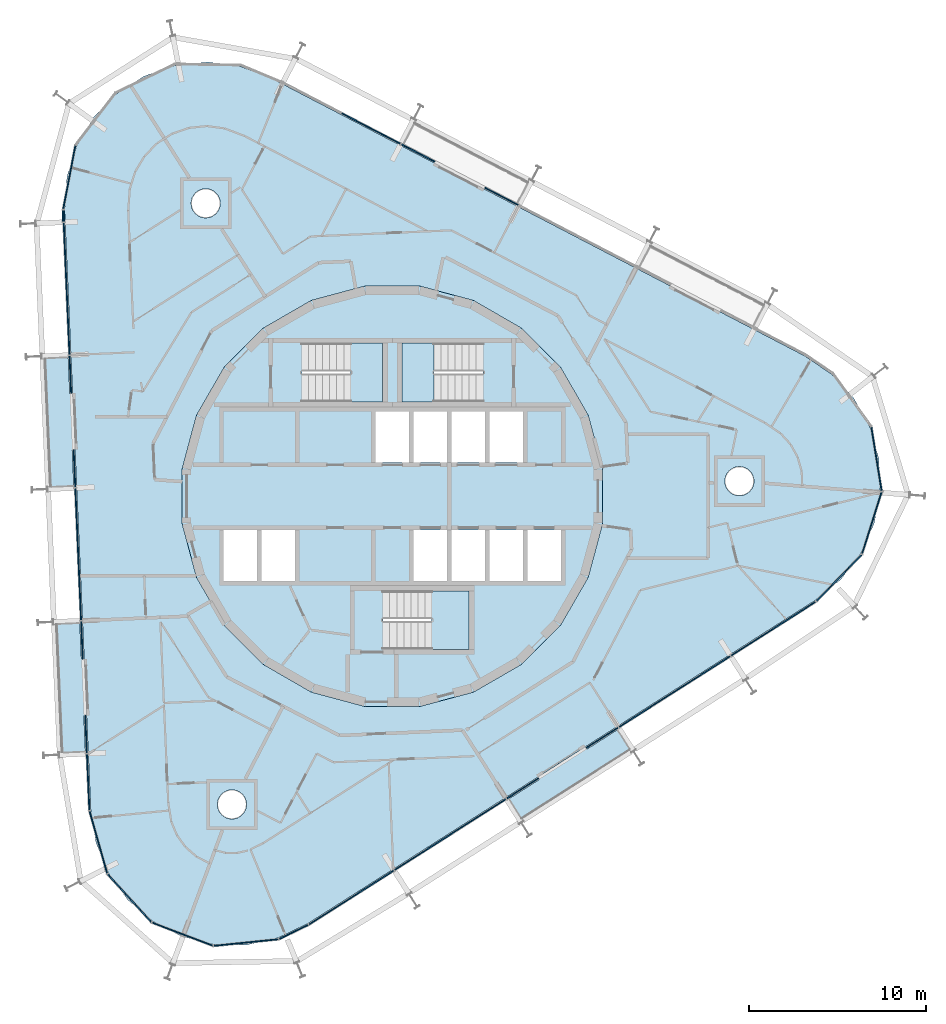
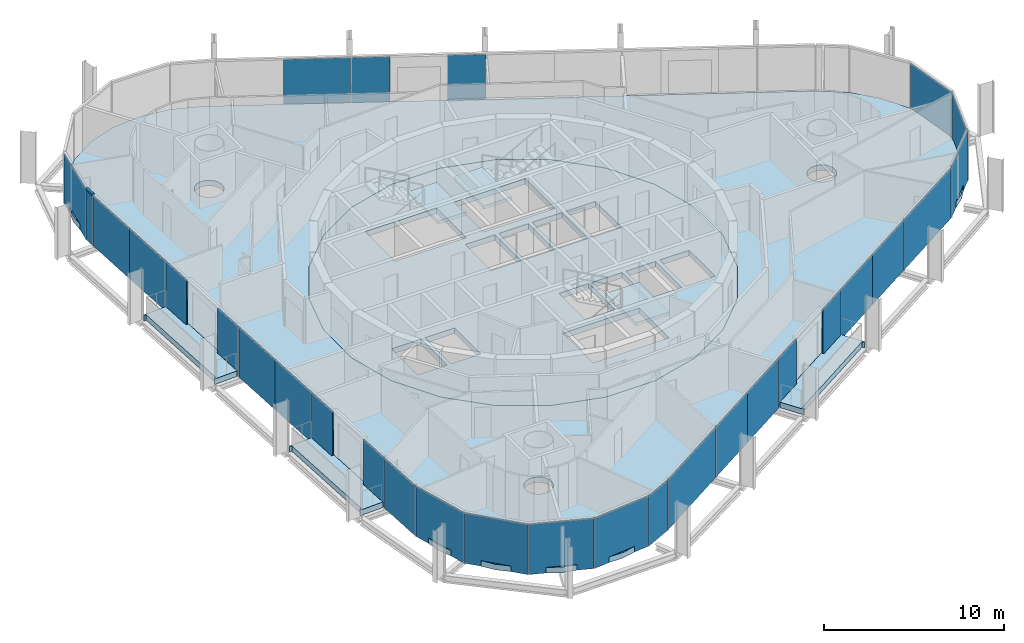
# One storey, part 10 of 18: 30 plates, 8 slabs, 1 member, 9 elements without a shape of their own.
"""IFC4 building model written with IfcOpenShell, lengths in metres."""

from ifc_helpers import new_model, si_unit, direction, frame, origin, origin_2d, place, context, subcontext, project, spatial, polyline, rectangle, outline, extrude, material, layer, layer_set, material_profile, profile_set, type_object, element, aggregate, save


model = new_model("IFC4")

# Units and contexts
model_context = context("Model", 3, precision=1e-05, world=origin(), true_north=direction((0.0, 1.0)))
body_context = subcontext(model_context, "Body", "Model", "MODEL_VIEW")
ifc_project = project(units=[si_unit("LENGTHUNIT", "METRE"), si_unit("AREAUNIT", "SQUARE_METRE"), si_unit("VOLUMEUNIT", "CUBIC_METRE"), si_unit("PLANEANGLEUNIT", "RADIAN"), si_unit("MASSUNIT", "GRAM", prefix="KILO")], contexts=[model_context])

# Site, building, storey
site_placement = place(None, origin())
site = spatial("IfcSite", under=ifc_project, at=site_placement, CompositionType="ELEMENT")
building_placement = place(site_placement, origin())
building = spatial("IfcBuilding", under=site, at=building_placement, Name="Spindle Arch Residences", CompositionType="ELEMENT")
storey_placement = place(building_placement, frame((0.0, 0.0, 230.199951171875)))
storey = spatial("IfcBuildingStorey", under=building, at=storey_placement, Name="L58", CompositionType="ELEMENT", Elevation=230.199951171875)

# Curtain wall, member
ifc_material_1 = material(Name="Aluminium bronze unitised frame with tinted glass", Category="aluminium")
ifc_layer_1 = layer(ifc_material_1, 0.159912109375)
ifc_layer_set_1 = layer_set([ifc_layer_1], Name="CW-D corner wall on the fillet arcs")
curtain_wall_type_1 = type_object("IfcCurtainWallType", Name="CW-D corner wall on the fillet arcs", PredefinedType="NOTDEFINED", material=ifc_layer_set_1)
curtain_wall_1_placement = place(storey_placement, origin())
curtain_wall_1 = element("IfcCurtainWall", 1, at=curtain_wall_1_placement, inside=storey, type_object=curtain_wall_type_1, Name="CW-D L58 run 3", PredefinedType="NOTDEFINED")
ifc_material_2 = material(Name="Aluminium bronze anodised transom", Category="aluminium")
ifc_material_profile = material_profile(ifc_material_2, rectangle(XDim=0.159912109375, YDim=0.1201171875, at=origin_2d()), Name="TR 120x160")
ifc_profile_set = profile_set([ifc_material_profile], Name="Aluminium bronze anodised transom")
member_type = type_object("IfcMemberType", Name="Bronze transom 120x160", PredefinedType="USERDEFINED", material=ifc_profile_set)
member_placement = place(storey_placement, frame((-18.638916015625, 16.2060546875, 3.06005859375), z_axis=(0.043372874815, -0.999058954081, 0.0), x_axis=(0.999058954081, 0.043372874815, 0.0)))
member = element("IfcMember", 2, at=member_placement, type_object=member_type, Name="CW-D transom 05", ObjectType="TRANSOM", PredefinedType="USERDEFINED", context=body_context, shape_type="SweptSolid", body=[
    extrude(rectangle(XDim=0.159912109375, YDim=0.1201171875, at=origin_2d()), origin(), (0.0, 0.0, 1.0), 0.65869140625),
])

# Slabs
ifc_material_3 = material(Name="Concrete C40/50", Category="concrete")
ifc_layer_2 = layer(ifc_material_3, 0.3798828125)
ifc_layer_set_2 = layer_set([ifc_layer_2], Name="Balcony slab 380")
slab_type_1 = type_object("IfcSlabType", Name="Balcony slab 380", PredefinedType="FLOOR", material=ifc_layer_set_2)
slab_1_placement = place(storey_placement, frame((0.0, 0.0, -0.3798828125)))
element("IfcSlab", 3, at=slab_1_placement, inside=storey, type_object=slab_type_1, Name="Balcony L58 bay 14", PredefinedType="FLOOR", context=body_context, shape_type="SweptSolid", body=[
    extrude(outline(polyline([(-19.845703125, 7.851806640625), (-19.842529296875, 7.777099609375), (-19.692626953125, 7.783447265625), (-19.377197265625, 0.560302734375), (-19.527099609375, 0.5537109375), (-19.52392578125, 0.478759765625), (-18.03515625, 0.5439453125), (-18.12646484375, 2.6318359375), (-17.966552734375, 2.638916015625), (-18.106201171875, 5.8359375), (-18.265869140625, 5.828857421875), (-18.357177734375, 7.9169921875), (-19.845703125, 7.851806640625)])), origin(), (0.0, 0.0, 1.0), 0.3798828125),
])
slab_2_placement = place(storey_placement, frame((0.0, 0.0, -0.3798828125)))
element("IfcSlab", 4, at=slab_2_placement, inside=storey, type_object=slab_type_1, Name="Balcony L58 bay 16", PredefinedType="FLOOR", context=body_context, shape_type="SweptSolid", body=[
    extrude(outline(polyline([(-19.188720703125, -7.19384765625), (-19.185546875, -7.268798828125), (-19.03564453125, -7.26220703125), (-18.72021484375, -14.485595703125), (-18.8701171875, -14.491943359375), (-18.866943359375, -14.56689453125), (-17.37841796875, -14.501953125), (-17.469482421875, -12.413818359375), (-17.3095703125, -12.406982421875), (-17.44921875, -9.2099609375), (-17.609130859375, -9.217041015625), (-17.7001953125, -7.12890625), (-19.188720703125, -7.19384765625)])), origin(), (0.0, 0.0, 1.0), 0.3798828125),
])
slab_3_placement = place(storey_placement, frame((0.0, 0.0, -0.3798828125)))
element("IfcSlab", 5, at=slab_3_placement, inside=storey, type_object=slab_type_1, Name="Balcony L58 bay 22", PredefinedType="FLOOR", context=body_context, shape_type="SweptSolid", body=[
    extrude(outline(polyline([(7.356689453125, -18.41552734375), (7.419921875, -18.375244140625), (7.33935546875, -18.248779296875), (13.437255859375, -14.364013671875), (13.517822265625, -14.490478515625), (13.5810546875, -14.4501953125), (12.780517578125, -13.193603515625), (11.017822265625, -14.316650390625), (10.931884765625, -14.181640625), (8.23291015625, -15.901123046875), (8.31884765625, -16.035888671875), (6.55615234375, -17.158935546875), (7.356689453125, -18.41552734375)])), origin(), (0.0, 0.0, 1.0), 0.3798828125),
])
ifc_material_4 = material(Name="Concrete C50/60", Category="concrete")
ifc_layer_3 = layer(ifc_material_4, 0.3798828125)
ifc_layer_set_3 = layer_set([ifc_layer_3], Name="Core floor slab 380")
slab_type_2 = type_object("IfcSlabType", Name="Core floor slab 380", PredefinedType="FLOOR", material=ifc_layer_set_3)
slab_4_placement = place(storey_placement, frame((0.0, 0.0, -0.3798828125)))
element("IfcSlab", 6, at=slab_4_placement, inside=storey, type_object=slab_type_2, Name="Core floor L58", PredefinedType="FLOOR", context=body_context, shape_type="SweptSolid", body=[
    extrude(outline(polyline([(1.56640625, -11.897216796875), (4.59228515625, -11.086669921875), (7.30517578125, -9.520263671875), (9.520263671875, -7.30517578125), (11.086669921875, -4.59228515625), (11.897216796875, -1.56640625), (11.897216796875, 1.56640625), (11.086669921875, 4.59228515625), (9.520263671875, 7.30517578125), (7.30517578125, 9.520263671875), (4.59228515625, 11.086669921875), (1.56640625, 11.897216796875), (-1.56640625, 11.897216796875), (-4.59228515625, 11.086669921875), (-7.30517578125, 9.520263671875), (-9.520263671875, 7.30517578125), (-11.086669921875, 4.59228515625), (-11.897216796875, 1.56640625), (-11.897216796875, -1.56640625), (-11.086669921875, -4.59228515625), (-9.520263671875, -7.30517578125), (-7.30517578125, -9.520263671875), (-4.59228515625, -11.086669921875), (-1.56640625, -11.897216796875), (1.56640625, -11.897216796875)]), holes=[polyline([(-0.949951171875, 1.89990234375), (0.949951171875, 1.89990234375), (0.949951171875, 4.800048828125), (-0.949951171875, 4.800048828125), (-0.949951171875, 1.89990234375)]), polyline([(1.199951171875, 1.89990234375), (3.10009765625, 1.89990234375), (3.10009765625, 4.800048828125), (1.199951171875, 4.800048828125), (1.199951171875, 1.89990234375)]), polyline([(3.35009765625, 1.89990234375), (5.25, 1.89990234375), (5.25, 4.800048828125), (3.35009765625, 4.800048828125), (3.35009765625, 1.89990234375)]), polyline([(5.5, 1.89990234375), (7.39990234375, 1.89990234375), (7.39990234375, 4.800048828125), (5.5, 4.800048828125), (5.5, 1.89990234375)]), polyline([(-9.550048828125, -4.800048828125), (-7.64990234375, -4.800048828125), (-7.64990234375, -1.89990234375), (-9.550048828125, -1.89990234375), (-9.550048828125, -4.800048828125)]), polyline([(-7.39990234375, -4.800048828125), (-5.5, -4.800048828125), (-5.5, -1.89990234375), (-7.39990234375, -1.89990234375), (-7.39990234375, -4.800048828125)]), polyline([(1.199951171875, -4.800048828125), (3.10009765625, -4.800048828125), (3.10009765625, -1.89990234375), (1.199951171875, -1.89990234375), (1.199951171875, -4.800048828125)]), polyline([(3.35009765625, -4.800048828125), (5.25, -4.800048828125), (5.25, -1.89990234375), (3.35009765625, -1.89990234375), (3.35009765625, -4.800048828125)]), polyline([(5.5, -4.800048828125), (7.39990234375, -4.800048828125), (7.39990234375, -1.89990234375), (5.5, -1.89990234375), (5.5, -4.800048828125)]), polyline([(7.64990234375, -4.800048828125), (9.550048828125, -4.800048828125), (9.550048828125, -1.89990234375), (7.64990234375, -1.89990234375), (7.64990234375, -4.800048828125)]), polyline([(5.1298828125, 8.669921875), (0.550048828125, 8.669921875), (0.550048828125, 5.35009765625), (5.1298828125, 5.35009765625), (5.1298828125, 8.669921875)]), polyline([(-5.1298828125, 5.35009765625), (-0.550048828125, 5.35009765625), (-0.550048828125, 8.669921875), (-5.1298828125, 8.669921875), (-5.1298828125, 5.35009765625)]), polyline([(-0.530029296875, -8.669921875), (4.35009765625, -8.669921875), (4.35009765625, -5.35009765625), (-0.530029296875, -5.35009765625), (-0.530029296875, -8.669921875)])]), origin(), (0.0, 0.0, 1.0), 0.3798828125),
])

# Stair, slab
ifc_material_5 = material(Name="Concrete C50/60", Category="concrete")
stair_type = type_object("IfcStairType", Name="Exit stair 16 risers", PredefinedType="HALF_TURN_STAIR", material=ifc_material_5)
stair_1_placement = place(storey_placement, origin())
stair_1 = element("IfcStair", 7, at=stair_1_placement, inside=storey, type_object=stair_type, Name="L58 Exit stair ST1", PredefinedType="HALF_TURN_STAIR")
ifc_material_6 = material(Name="Concrete C50/60", Category="concrete")
ifc_layer_4 = layer(ifc_material_6, 0.219970703125)
ifc_layer_set_4 = layer_set([ifc_layer_4], Name="Exit stair landing 220")
slab_type_3 = type_object("IfcSlabType", Name="Exit stair landing 220", PredefinedType="LANDING", material=ifc_layer_set_4)
slab_5_placement = place(storey_placement, frame((0.0, 0.0, 1.530029296875)))
slab_5 = element("IfcSlab", 8, at=slab_5_placement, type_object=slab_type_3, Name="ST1 landing 1", PredefinedType="LANDING", context=body_context, shape_type="SweptSolid", body=[
    extrude(outline(polyline([(2.3701171875, 8.669921875), (0.550048828125, 8.669921875), (0.550048828125, 5.35009765625), (2.3701171875, 5.35009765625), (2.3701171875, 8.669921875)])), origin(), (0.0, 0.0, 1.0), 0.219970703125),
])
aggregate(stair_1, [slab_5])

stair_2_placement = place(storey_placement, origin())
stair_2 = element("IfcStair", 9, at=stair_2_placement, inside=storey, type_object=stair_type, Name="L58 Exit stair ST2", PredefinedType="HALF_TURN_STAIR")
slab_6_placement = place(storey_placement, frame((0.0, 0.0, 1.530029296875)))
slab_6 = element("IfcSlab", 10, at=slab_6_placement, type_object=slab_type_3, Name="ST2 landing 1", PredefinedType="LANDING", context=body_context, shape_type="SweptSolid", body=[
    extrude(outline(polyline([(-2.3701171875, 5.35009765625), (-0.550048828125, 5.35009765625), (-0.550048828125, 8.669921875), (-2.3701171875, 8.669921875), (-2.3701171875, 5.35009765625)])), origin(), (0.0, 0.0, 1.0), 0.219970703125),
])
aggregate(stair_2, [slab_6])

stair_3_placement = place(storey_placement, origin())
stair_3 = element("IfcStair", 11, at=stair_3_placement, inside=storey, type_object=stair_type, Name="L58 Exit stair ST3", PredefinedType="HALF_TURN_STAIR")
slab_7_placement = place(storey_placement, frame((0.0, 0.0, 1.530029296875)))
slab_7 = element("IfcSlab", 12, at=slab_7_placement, type_object=slab_type_3, Name="ST3 landing 1", PredefinedType="LANDING", context=body_context, shape_type="SweptSolid", body=[
    extrude(outline(polyline([(2.22998046875, -8.669921875), (4.35009765625, -8.669921875), (4.35009765625, -5.35009765625), (2.22998046875, -5.35009765625), (2.22998046875, -8.669921875)])), origin(), (0.0, 0.0, 1.0), 0.219970703125),
])
aggregate(stair_3, [slab_7])

# Slab
ifc_material_7 = material(Name="Concrete C40/50", Category="concrete")
ifc_layer_5 = layer(ifc_material_7, 0.3798828125)
ifc_layer_set_5 = layer_set([ifc_layer_5], Name="Floor slab 380")
slab_type_4 = type_object("IfcSlabType", Name="Floor slab 380", PredefinedType="FLOOR", material=ifc_layer_set_5)
slab_8_placement = place(storey_placement, frame((0.0, 0.0, -0.3798828125)))
element("IfcSlab", 13, at=slab_8_placement, inside=storey, type_object=slab_type_4, Name="Floor slab L58", PredefinedType="FLOOR", context=body_context, shape_type="SweptSolid", body=[
    extrude(outline(polyline([(-6.45556640625, -25.0029296875), (-8.268798828125, -25.40478515625), (-10.126220703125, -25.3779296875), (-11.92724609375, -24.92333984375), (-13.57470703125, -24.065673828125), (-14.980224609375, -22.85107421875), (-16.067626953125, -21.34521484375), (-16.778564453125, -19.629150390625), (-17.074462890625, -17.79541015625), (-18.560302734375, 16.239501953125), (-18.42529296875, 18.092041015625), (-17.866943359375, 19.863525390625), (-16.914794921875, 21.45849609375), (-15.62060546875, 22.791015625), (-14.053955078125, 23.788818359375), (-12.299560546875, 24.398681640625), (-10.45166015625, 24.587646484375), (-8.610107421875, 24.34521484375), (-6.8740234375, 23.6845703125), (23.343994140625, 7.9541015625), (24.880859375, 6.910888671875), (26.1357421875, 5.54150390625), (27.041015625, 3.91943359375), (27.5478515625, 2.13232421875), (27.62890625, 0.276611328125), (27.27978515625, -1.547607421875), (26.519287109375, -3.242431640625), (25.388427734375, -4.716064453125), (23.948486328125, -5.88916015625), (9.58251953125, -15.041259765625), (-4.78369140625, -24.193603515625), (-6.45556640625, -25.0029296875)]), holes=[polyline([(7.30517578125, -9.520263671875), (9.520263671875, -7.30517578125), (11.086669921875, -4.59228515625), (11.897216796875, -1.56640625), (11.897216796875, 1.56640625), (11.086669921875, 4.59228515625), (9.520263671875, 7.30517578125), (7.30517578125, 9.520263671875), (4.59228515625, 11.086669921875), (1.56640625, 11.897216796875), (-1.56640625, 11.897216796875), (-4.59228515625, 11.086669921875), (-7.30517578125, 9.520263671875), (-9.520263671875, 7.30517578125), (-11.086669921875, 4.59228515625), (-11.897216796875, 1.56640625), (-11.897216796875, -1.56640625), (-11.086669921875, -4.59228515625), (-9.520263671875, -7.30517578125), (-7.30517578125, -9.520263671875), (-4.59228515625, -11.086669921875), (-1.56640625, -11.897216796875), (1.56640625, -11.897216796875), (4.59228515625, -11.086669921875), (7.30517578125, -9.520263671875)]), polyline([(-8.39599609375, -17.904541015625), (-8.31982421875, -17.761962890625), (-8.27294921875, -17.607177734375), (-8.257080078125, -17.4462890625), (-8.27294921875, -17.285400390625), (-8.31982421875, -17.130615234375), (-8.39599609375, -16.988037109375), (-8.49853515625, -16.86279296875), (-8.623779296875, -16.76025390625), (-8.766357421875, -16.68408203125), (-8.921142578125, -16.63720703125), (-9.08203125, -16.621337890625), (-9.242919921875, -16.63720703125), (-9.397705078125, -16.68408203125), (-9.540283203125, -16.76025390625), (-9.665283203125, -16.86279296875), (-9.76806640625, -16.988037109375), (-9.84423828125, -17.130615234375), (-9.89111328125, -17.285400390625), (-9.906982421875, -17.4462890625), (-9.89111328125, -17.607177734375), (-9.84423828125, -17.761962890625), (-9.76806640625, -17.904541015625), (-9.665283203125, -18.02978515625), (-9.540283203125, -18.13232421875), (-9.397705078125, -18.20849609375), (-9.242919921875, -18.25537109375), (-9.08203125, -18.271240234375), (-8.921142578125, -18.25537109375), (-8.766357421875, -18.20849609375), (-8.623779296875, -18.13232421875), (-8.49853515625, -18.02978515625), (-8.39599609375, -17.904541015625)]), polyline([(-9.882080078125, 16.130126953125), (-9.805908203125, 16.272705078125), (-9.7587890625, 16.427490234375), (-9.742919921875, 16.58837890625), (-9.7587890625, 16.749267578125), (-9.805908203125, 16.904052734375), (-9.882080078125, 17.046630859375), (-9.984619140625, 17.171875), (-10.109619140625, 17.2744140625), (-10.252197265625, 17.3505859375), (-10.406982421875, 17.3974609375), (-10.568115234375, 17.413330078125), (-10.72900390625, 17.3974609375), (-10.8837890625, 17.3505859375), (-11.0263671875, 17.2744140625), (-11.1513671875, 17.171875), (-11.25390625, 17.046630859375), (-11.330078125, 16.904052734375), (-11.377197265625, 16.749267578125), (-11.39306640625, 16.58837890625), (-11.377197265625, 16.427490234375), (-11.330078125, 16.272705078125), (-11.25390625, 16.130126953125), (-11.1513671875, 16.0048828125), (-11.0263671875, 15.90234375), (-10.8837890625, 15.826171875), (-10.72900390625, 15.779296875), (-10.568115234375, 15.763427734375), (-10.406982421875, 15.779296875), (-10.252197265625, 15.826171875), (-10.109619140625, 15.90234375), (-9.984619140625, 16.0048828125), (-9.882080078125, 16.130126953125)]), polyline([(20.2333984375, 0.2744140625), (20.3359375, 0.399658203125), (20.412109375, 0.542236328125), (20.458984375, 0.697021484375), (20.47509765625, 0.85791015625), (20.458984375, 1.018798828125), (20.412109375, 1.173583984375), (20.3359375, 1.316162109375), (20.2333984375, 1.44140625), (20.1083984375, 1.5439453125), (19.9658203125, 1.6201171875), (19.810791015625, 1.6669921875), (19.64990234375, 1.682861328125), (19.489013671875, 1.6669921875), (19.334228515625, 1.6201171875), (19.191650390625, 1.5439453125), (19.066650390625, 1.44140625), (18.964111328125, 1.316162109375), (18.8876953125, 1.173583984375), (18.8408203125, 1.018798828125), (18.824951171875, 0.85791015625), (18.8408203125, 0.697021484375), (18.8876953125, 0.542236328125), (18.964111328125, 0.399658203125), (19.066650390625, 0.2744140625), (19.191650390625, 0.171875), (19.334228515625, 0.095703125), (19.489013671875, 0.048828125), (19.64990234375, 0.032958984375), (19.810791015625, 0.048828125), (19.9658203125, 0.095703125), (20.1083984375, 0.171875), (20.2333984375, 0.2744140625)])]), origin(), (0.0, 0.0, 1.0), 0.3798828125),
])

# Curtain wall, plates
curtain_wall_2_placement = place(storey_placement, origin())
curtain_wall_2 = element("IfcCurtainWall", 14, at=curtain_wall_2_placement, inside=storey, type_object=curtain_wall_type_1, Name="CW-D L58 run 1", PredefinedType="NOTDEFINED")
ifc_material_8 = material(Name="Tinted double glazing over non-combustible spandrel zone with 0.55 mm stainless steel cavity fire stop (K0)", Category="steel")
ifc_layer_6 = layer(ifc_material_8, 0.070068359375)
ifc_layer_set_6 = layer_set([ifc_layer_6], Name="Unitised glass panel with spandrel zone and stainless cavity fire stop")
plate_type = type_object("IfcPlateType", Name="Unitised glass panel with spandrel zone and stainless cavity fire stop", PredefinedType="CURTAIN_PANEL", material=ifc_layer_set_6)
plate_1_placement = place(storey_placement, frame((21.571533203125, -7.498291015625, -0.3798828125), z_axis=(0.0, 0.0, 1.0), x_axis=(0.843391445813, 0.537299608347, 0.0)))
plate_1 = element("IfcPlate", 15, at=plate_1_placement, type_object=plate_type, Name="CW-D unit 00", PredefinedType="CURTAIN_PANEL", context=body_context, shape_type="SweptSolid", body=[
    extrude(rectangle(XDim=5.678466796875, YDim=0.070068359375, at=origin_2d()), origin(), (0.0, 0.0, 1.0), 3.3798828125),
])
plate_2_placement = place(storey_placement, frame((25.28955078125, -4.6201171875, -0.3798828125), z_axis=(0.0, 0.0, 1.0), x_axis=(0.696747904692, 0.71731607908, 0.0)))
plate_2 = element("IfcPlate", 16, at=plate_2_placement, type_object=plate_type, Name="CW-D unit 01", PredefinedType="CURTAIN_PANEL", context=body_context, shape_type="SweptSolid", body=[
    extrude(rectangle(XDim=3.666748046875, YDim=0.070068359375, at=origin_2d()), origin(), (0.0, 0.0, 1.0), 3.3798828125),
])
plate_3_placement = place(storey_placement, frame((27.148193359375, -1.50634765625, -0.3798828125), z_axis=(0.0, 0.0, 1.0), x_axis=(0.300705803932, 0.953716949352, 0.0)))
plate_3 = element("IfcPlate", 17, at=plate_3_placement, type_object=plate_type, Name="CW-D unit 02", PredefinedType="CURTAIN_PANEL", context=body_context, shape_type="SweptSolid", body=[
    extrude(rectangle(XDim=3.666748046875, YDim=0.070068359375, at=origin_2d()), origin(), (0.0, 0.0, 1.0), 3.3798828125),
])
plate_4_placement = place(storey_placement, frame((27.411865234375, 2.1103515625, -0.3798828125), z_axis=(0.0, 0.0, 1.0), x_axis=(-0.15930686075, 0.987229114298, 0.0)))
plate_4 = element("IfcPlate", 18, at=plate_4_placement, type_object=plate_type, Name="CW-D unit 03", PredefinedType="CURTAIN_PANEL", context=body_context, shape_type="SweptSolid", body=[
    extrude(rectangle(XDim=3.666748046875, YDim=0.070068359375, at=origin_2d()), origin(), (0.0, 0.0, 1.0), 3.3798828125),
])
aggregate(curtain_wall_2, [plate_1, plate_2, plate_3, plate_4])

ifc_material_9 = material(Name="Aluminium bronze unitised frame with tinted glass", Category="aluminium")
ifc_layer_7 = layer(ifc_material_9, 0.159912109375)
ifc_layer_set_7 = layer_set([ifc_layer_7], Name="CW-C typical residential unitised wall")
curtain_wall_type_2 = type_object("IfcCurtainWallType", Name="CW-C typical residential unitised wall", PredefinedType="NOTDEFINED", material=ifc_layer_set_7)
curtain_wall_3_placement = place(storey_placement, origin())
curtain_wall_3 = element("IfcCurtainWall", 19, at=curtain_wall_3_placement, inside=storey, type_object=curtain_wall_type_2, Name="CW-C L58 run 2", PredefinedType="NOTDEFINED")
plate_5_placement = place(storey_placement, frame((6.185302734375, 16.9765625, -0.3798828125), z_axis=(0.0, 0.0, 1.0), x_axis=(-0.887010833178, 0.461748613235, 0.0)))
plate_5 = element("IfcPlate", 20, at=plate_5_placement, type_object=plate_type, Name="CW-C unit 07L", PredefinedType="CURTAIN_PANEL", context=body_context, shape_type="SweptSolid", body=[
    extrude(rectangle(XDim=2.135009765625, YDim=0.070068359375, at=origin_2d()), origin(), (0.0, 0.0, 1.0), 3.3798828125),
])
plate_6_placement = place(storey_placement, frame((1.452880859375, 19.43994140625, -0.3798828125), z_axis=(0.0, 0.0, 1.0), x_axis=(-0.887010833178, 0.461748613235, 0.0)))
plate_6 = element("IfcPlate", 21, at=plate_6_placement, type_object=plate_type, Name="CW-C unit 07R", PredefinedType="CURTAIN_PANEL", context=body_context, shape_type="SweptSolid", body=[
    extrude(rectangle(XDim=2.135009765625, YDim=0.070068359375, at=origin_2d()), origin(), (0.0, 0.0, 1.0), 3.3798828125),
])
plate_7_placement = place(storey_placement, frame((-1.20361328125, 20.822998046875, -0.3798828125), z_axis=(0.0, 0.0, 1.0), x_axis=(-0.887010833178, 0.461748613235, 0.0)))
plate_7 = element("IfcPlate", 22, at=plate_7_placement, type_object=plate_type, Name="CW-C unit 08A", PredefinedType="CURTAIN_PANEL", context=body_context, shape_type="SweptSolid", body=[
    extrude(rectangle(XDim=3.735107421875, YDim=0.070068359375, at=origin_2d()), origin(), (0.0, 0.0, 1.0), 3.3798828125),
])
aggregate(curtain_wall_3, [plate_5, plate_6, plate_7])

# Plate
plate_8_placement = place(storey_placement, frame((-18.2900390625, 18.066162109375, -0.3798828125), z_axis=(0.0, 0.0, 1.0), x_axis=(-0.187952756314, -0.982178070104, 0.0)))
plate_8 = element("IfcPlate", 23, at=plate_8_placement, type_object=plate_type, Name="CW-D unit 04", PredefinedType="CURTAIN_PANEL", context=body_context, shape_type="SweptSolid", body=[
    extrude(rectangle(XDim=3.666748046875, YDim=0.070068359375, at=origin_2d()), origin(), (0.0, 0.0, 1.0), 3.3798828125),
])

plate_9_placement = place(storey_placement, frame((-18.62451171875, 15.877197265625, -0.3798828125), z_axis=(0.0, 0.0, 1.0), x_axis=(0.043619387365, -0.999048221582, 0.0)))
plate_9 = element("IfcPlate", 24, at=plate_9_placement, type_object=plate_type, Name="CW-D unit 05", PredefinedType="CURTAIN_PANEL", context=body_context, shape_type="SweptSolid", body=[
    extrude(rectangle(XDim=0.658447265625, YDim=0.070068359375, at=origin_2d()), origin(), (0.0, 0.0, 1.0), 3.3798828125),
])

aggregate(curtain_wall_1, [plate_8, member, plate_9])

# Curtain wall, plates
curtain_wall_4_placement = place(storey_placement, origin())
curtain_wall_4 = element("IfcCurtainWall", 25, at=curtain_wall_4_placement, inside=storey, type_object=curtain_wall_type_2, Name="CW-C L58 run 4", PredefinedType="NOTDEFINED")
plate_10_placement = place(storey_placement, frame((-18.526123046875, 13.62255859375, -0.3798828125), z_axis=(0.0, 0.0, 1.0), x_axis=(0.043619387365, -0.999048221582, 0.0)))
plate_10 = element("IfcPlate", 26, at=plate_10_placement, type_object=plate_type, Name="CW-C unit 12A", PredefinedType="CURTAIN_PANEL", context=body_context, shape_type="SweptSolid", body=[
    extrude(rectangle(XDim=3.735107421875, YDim=0.070068359375, at=origin_2d()), origin(), (0.0, 0.0, 1.0), 3.3798828125),
])
plate_11_placement = place(storey_placement, frame((-18.36328125, 9.89111328125, -0.3798828125), z_axis=(0.0, 0.0, 1.0), x_axis=(0.043619387365, -0.999048221582, 0.0)))
plate_11 = element("IfcPlate", 27, at=plate_11_placement, type_object=plate_type, Name="CW-C unit 12B", PredefinedType="CURTAIN_PANEL", context=body_context, shape_type="SweptSolid", body=[
    extrude(rectangle(XDim=3.735107421875, YDim=0.070068359375, at=origin_2d()), origin(), (0.0, 0.0, 1.0), 3.3798828125),
])
plate_12_placement = place(storey_placement, frame((-18.232666015625, 6.89892578125, -0.3798828125), z_axis=(0.0, 0.0, 1.0), x_axis=(0.043619387365, -0.999048221582, 0.0)))
plate_12 = element("IfcPlate", 28, at=plate_12_placement, type_object=plate_type, Name="CW-C unit 13L", PredefinedType="CURTAIN_PANEL", context=body_context, shape_type="SweptSolid", body=[
    extrude(rectangle(XDim=2.135009765625, YDim=0.070068359375, at=origin_2d()), origin(), (0.0, 0.0, 1.0), 3.3798828125),
])
plate_13_placement = place(storey_placement, frame((-18.0, 1.56884765625, -0.3798828125), z_axis=(0.0, 0.0, 1.0), x_axis=(0.043619387365, -0.999048221582, 0.0)))
plate_13 = element("IfcPlate", 29, at=plate_13_placement, type_object=plate_type, Name="CW-C unit 13R", PredefinedType="CURTAIN_PANEL", context=body_context, shape_type="SweptSolid", body=[
    extrude(rectangle(XDim=2.135009765625, YDim=0.070068359375, at=origin_2d()), origin(), (0.0, 0.0, 1.0), 3.3798828125),
])
plate_14_placement = place(storey_placement, frame((-17.869384765625, -1.42333984375, -0.3798828125), z_axis=(0.0, 0.0, 1.0), x_axis=(0.043619387365, -0.999048221582, 0.0)))
plate_14 = element("IfcPlate", 30, at=plate_14_placement, type_object=plate_type, Name="CW-C unit 14A", PredefinedType="CURTAIN_PANEL", context=body_context, shape_type="SweptSolid", body=[
    extrude(rectangle(XDim=3.735107421875, YDim=0.070068359375, at=origin_2d()), origin(), (0.0, 0.0, 1.0), 3.3798828125),
])
plate_15_placement = place(storey_placement, frame((-17.706298828125, -5.15478515625, -0.3798828125), z_axis=(0.0, 0.0, 1.0), x_axis=(0.043619387365, -0.999048221582, 0.0)))
plate_15 = element("IfcPlate", 31, at=plate_15_placement, type_object=plate_type, Name="CW-C unit 14B", PredefinedType="CURTAIN_PANEL", context=body_context, shape_type="SweptSolid", body=[
    extrude(rectangle(XDim=3.735107421875, YDim=0.070068359375, at=origin_2d()), origin(), (0.0, 0.0, 1.0), 3.3798828125),
])
plate_16_placement = place(storey_placement, frame((-17.57568359375, -8.14697265625, -0.3798828125), z_axis=(0.0, 0.0, 1.0), x_axis=(0.043619387365, -0.999048221582, 0.0)))
plate_16 = element("IfcPlate", 32, at=plate_16_placement, type_object=plate_type, Name="CW-C unit 15L", PredefinedType="CURTAIN_PANEL", context=body_context, shape_type="SweptSolid", body=[
    extrude(rectangle(XDim=2.135009765625, YDim=0.070068359375, at=origin_2d()), origin(), (0.0, 0.0, 1.0), 3.3798828125),
])
plate_17_placement = place(storey_placement, frame((-17.343017578125, -13.47705078125, -0.3798828125), z_axis=(0.0, 0.0, 1.0), x_axis=(0.043619387365, -0.999048221582, 0.0)))
plate_17 = element("IfcPlate", 33, at=plate_17_placement, type_object=plate_type, Name="CW-C unit 15R", PredefinedType="CURTAIN_PANEL", context=body_context, shape_type="SweptSolid", body=[
    extrude(rectangle(XDim=2.135009765625, YDim=0.070068359375, at=origin_2d()), origin(), (0.0, 0.0, 1.0), 3.3798828125),
])
aggregate(curtain_wall_4, [plate_10, plate_11, plate_12, plate_13, plate_14, plate_15, plate_16, plate_17])

curtain_wall_5_placement = place(storey_placement, origin())
curtain_wall_5 = element("IfcCurtainWall", 34, at=curtain_wall_5_placement, inside=storey, type_object=curtain_wall_type_1, Name="CW-D L58 run 5", PredefinedType="NOTDEFINED")
plate_18_placement = place(storey_placement, frame((-17.224609375, -16.18603515625, -0.3798828125), z_axis=(0.0, 0.0, 1.0), x_axis=(0.043619387365, -0.999048221582, 0.0)))
plate_18 = element("IfcPlate", 35, at=plate_18_placement, type_object=plate_type, Name="CW-D unit 00", PredefinedType="CURTAIN_PANEL", context=body_context, shape_type="SweptSolid", body=[
    extrude(rectangle(XDim=3.16845703125, YDim=0.070068359375, at=origin_2d()), origin(), (0.0, 0.0, 1.0), 3.3798828125),
])
plate_19_placement = place(storey_placement, frame((-16.64599609375, -19.591552734375, -0.3798828125), z_axis=(0.0, 0.0, 1.0), x_axis=(0.272839997585, -0.962059424213, 0.0)))
plate_19 = element("IfcPlate", 36, at=plate_19_placement, type_object=plate_type, Name="CW-D unit 01", PredefinedType="CURTAIN_PANEL", context=body_context, shape_type="SweptSolid", body=[
    extrude(rectangle(XDim=3.666748046875, YDim=0.070068359375, at=origin_2d()), origin(), (0.0, 0.0, 1.0), 3.3798828125),
])
plate_20_placement = place(storey_placement, frame((-14.878662109375, -22.758056640625, -0.3798828125), z_axis=(0.0, 0.0, 1.0), x_axis=(0.675590207538, -0.737277336881, 0.0)))
plate_20 = element("IfcPlate", 37, at=plate_20_placement, type_object=plate_type, Name="CW-D unit 02", PredefinedType="CURTAIN_PANEL", context=body_context, shape_type="SweptSolid", body=[
    extrude(rectangle(XDim=3.666748046875, YDim=0.070068359375, at=origin_2d()), origin(), (0.0, 0.0, 1.0), 3.3798828125),
])
plate_21_placement = place(storey_placement, frame((-11.878173828125, -24.79443359375, -0.3798828125), z_axis=(0.0, 0.0, 1.0), x_axis=(0.934618925661, -0.355650760994, 0.0)))
plate_21 = element("IfcPlate", 38, at=plate_21_placement, type_object=plate_type, Name="CW-D unit 03", PredefinedType="CURTAIN_PANEL", context=body_context, shape_type="SweptSolid", body=[
    extrude(rectangle(XDim=3.666748046875, YDim=0.070068359375, at=origin_2d()), origin(), (0.0, 0.0, 1.0), 3.3798828125),
])
plate_22_placement = place(storey_placement, frame((-8.282958984375, -25.267822265625, -0.3798828125), z_axis=(0.0, 0.0, 1.0), x_axis=(0.994821748016, 0.10163508092, 0.0)))
plate_22 = element("IfcPlate", 39, at=plate_22_placement, type_object=plate_type, Name="CW-D unit 04", PredefinedType="CURTAIN_PANEL", context=body_context, shape_type="SweptSolid", body=[
    extrude(rectangle(XDim=3.666748046875, YDim=0.070068359375, at=origin_2d()), origin(), (0.0, 0.0, 1.0), 3.3798828125),
])
plate_23_placement = place(storey_placement, frame((-5.5849609375, -24.669677734375, -0.3798828125), z_axis=(0.0, 0.0, 1.0), x_axis=(0.900065409973, 0.435754813823, 0.0)))
plate_23 = element("IfcPlate", 40, at=plate_23_placement, type_object=plate_type, Name="CW-D unit 05", PredefinedType="CURTAIN_PANEL", context=body_context, shape_type="SweptSolid", body=[
    extrude(rectangle(XDim=1.816162109375, YDim=0.070068359375, at=origin_2d()), origin(), (0.0, 0.0, 1.0), 3.3798828125),
])
plate_24_placement = place(storey_placement, frame((-2.32080078125, -22.71923828125, -0.3798828125), z_axis=(0.0, 0.0, 1.0), x_axis=(0.843391445813, 0.537299608347, 0.0)))
plate_24 = element("IfcPlate", 41, at=plate_24_placement, type_object=plate_type, Name="CW-D unit 06", PredefinedType="CURTAIN_PANEL", context=body_context, shape_type="SweptSolid", body=[
    extrude(rectangle(XDim=5.678466796875, YDim=0.070068359375, at=origin_2d()), origin(), (0.0, 0.0, 1.0), 3.3798828125),
])
aggregate(curtain_wall_5, [plate_18, plate_19, plate_20, plate_21, plate_22, plate_23, plate_24])

curtain_wall_6_placement = place(storey_placement, origin())
curtain_wall_6 = element("IfcCurtainWall", 42, at=curtain_wall_6_placement, inside=storey, type_object=curtain_wall_type_2, Name="CW-C L58 run 6", PredefinedType="NOTDEFINED")
plate_25_placement = place(storey_placement, frame((1.699462890625, -20.158203125, -0.3798828125), z_axis=(0.0, 0.0, 1.0), x_axis=(0.843391445813, 0.537299608347, 0.0)))
plate_25 = element("IfcPlate", 43, at=plate_25_placement, type_object=plate_type, Name="CW-C unit 20A", PredefinedType="CURTAIN_PANEL", context=body_context, shape_type="SweptSolid", body=[
    extrude(rectangle(XDim=3.735107421875, YDim=0.070068359375, at=origin_2d()), origin(), (0.0, 0.0, 1.0), 3.3798828125),
])
plate_26_placement = place(storey_placement, frame((4.849609375, -18.1513671875, -0.3798828125), z_axis=(0.0, 0.0, 1.0), x_axis=(0.843391445813, 0.537299608347, 0.0)))
plate_26 = element("IfcPlate", 44, at=plate_26_placement, type_object=plate_type, Name="CW-C unit 20B", PredefinedType="CURTAIN_PANEL", context=body_context, shape_type="SweptSolid", body=[
    extrude(rectangle(XDim=3.735107421875, YDim=0.070068359375, at=origin_2d()), origin(), (0.0, 0.0, 1.0), 3.3798828125),
])
plate_27_placement = place(storey_placement, frame((7.37548828125, -16.5419921875, -0.3798828125), z_axis=(0.0, 0.0, 1.0), x_axis=(0.843391445813, 0.537299608347, 0.0)))
plate_27 = element("IfcPlate", 45, at=plate_27_placement, type_object=plate_type, Name="CW-C unit 21L", PredefinedType="CURTAIN_PANEL", context=body_context, shape_type="SweptSolid", body=[
    extrude(rectangle(XDim=2.135009765625, YDim=0.070068359375, at=origin_2d()), origin(), (0.0, 0.0, 1.0), 3.3798828125),
])
plate_28_placement = place(storey_placement, frame((11.875244140625, -13.675537109375, -0.3798828125), z_axis=(0.0, 0.0, 1.0), x_axis=(0.843391445813, 0.537299608347, 0.0)))
plate_28 = element("IfcPlate", 46, at=plate_28_placement, type_object=plate_type, Name="CW-C unit 21R", PredefinedType="CURTAIN_PANEL", context=body_context, shape_type="SweptSolid", body=[
    extrude(rectangle(XDim=2.135009765625, YDim=0.070068359375, at=origin_2d()), origin(), (0.0, 0.0, 1.0), 3.3798828125),
])
plate_29_placement = place(storey_placement, frame((14.401123046875, -12.06640625, -0.3798828125), z_axis=(0.0, 0.0, 1.0), x_axis=(0.843391445813, 0.537299608347, 0.0)))
plate_29 = element("IfcPlate", 47, at=plate_29_placement, type_object=plate_type, Name="CW-C unit 00A", PredefinedType="CURTAIN_PANEL", context=body_context, shape_type="SweptSolid", body=[
    extrude(rectangle(XDim=3.735107421875, YDim=0.070068359375, at=origin_2d()), origin(), (0.0, 0.0, 1.0), 3.3798828125),
])
plate_30_placement = place(storey_placement, frame((17.55126953125, -10.0595703125, -0.3798828125), z_axis=(0.0, 0.0, 1.0), x_axis=(0.843391445813, 0.537299608347, 0.0)))
plate_30 = element("IfcPlate", 48, at=plate_30_placement, type_object=plate_type, Name="CW-C unit 00B", PredefinedType="CURTAIN_PANEL", context=body_context, shape_type="SweptSolid", body=[
    extrude(rectangle(XDim=3.735107421875, YDim=0.070068359375, at=origin_2d()), origin(), (0.0, 0.0, 1.0), 3.3798828125),
])
aggregate(curtain_wall_6, [plate_25, plate_26, plate_27, plate_28, plate_29, plate_30])

save(model, "model.ifc")
